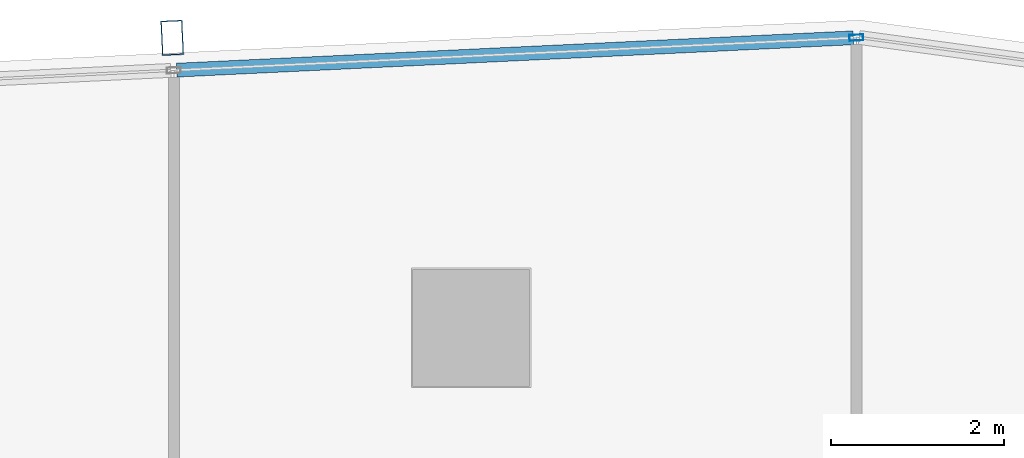
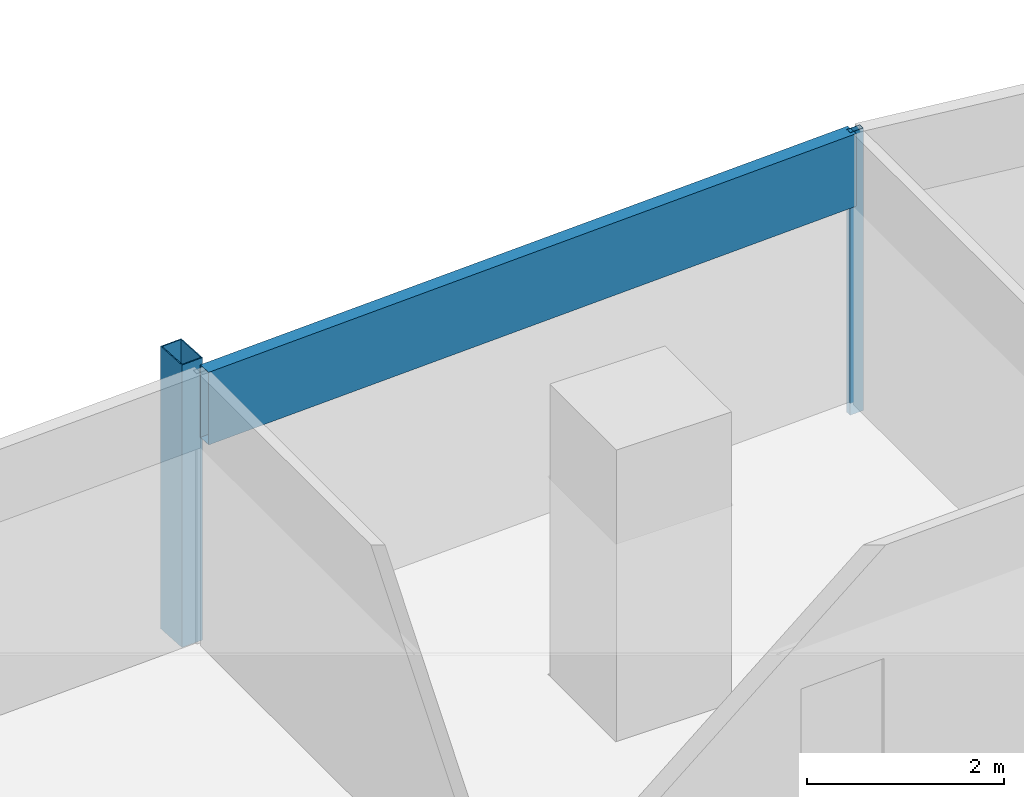
# One storey, part 24 of 39: 3 members, 1 element without a shape of its own.
"""IFC4 building model written with IfcOpenShell, lengths in metres."""

from ifc_helpers import new_model, si_unit, direction, frame, origin, origin_2d, place, context, subcontext, project, spatial, hollow_rectangle, extrude, material, material_profile, profile_set, type_object, element, aggregate, save


model = new_model("IFC4")

# Units and contexts
model_context = context("Model", 3, precision=1e-05, world=origin(), true_north=direction((0.0, 1.0)))
body_context = subcontext(model_context, "Body", "Model", "MODEL_VIEW")
ifc_project = project(units=[si_unit("LENGTHUNIT", "METRE"), si_unit("AREAUNIT", "SQUARE_METRE"), si_unit("VOLUMEUNIT", "CUBIC_METRE"), si_unit("PLANEANGLEUNIT", "RADIAN"), si_unit("MASSUNIT", "GRAM", prefix="KILO")], contexts=[model_context])

# Site, building, storey
site_placement = place(None, origin())
site = spatial("IfcSite", under=ifc_project, at=site_placement, CompositionType="ELEMENT")
building_placement = place(site_placement, origin())
building = spatial("IfcBuilding", under=site, at=building_placement, Name="Rekha Terrace Tower", CompositionType="ELEMENT")
storey_placement = place(building_placement, frame((0.0, 0.0, 221.449951171875)))
storey = spatial("IfcBuildingStorey", under=building, at=storey_placement, Name="L56", CompositionType="ELEMENT", Elevation=221.449951171875)

# Curtain wall, members
ifc_material_1 = material(Name="Aluminium framing", Category="aluminium")
curtain_wall_type = type_object("IfcCurtainWallType", Name="CW3 north unitised glazing", PredefinedType="USERDEFINED", material=ifc_material_1)
curtain_wall_placement = place(storey_placement, origin())
curtain_wall = element("IfcCurtainWall", 1, at=curtain_wall_placement, inside=storey, type_object=curtain_wall_type, Name="CW3 unitised curtain wall", ObjectType="UNITISED CURTAIN WALL", PredefinedType="USERDEFINED")
ifc_material_2 = material(Name="Steel S355 with fluorocarbon finish", Category="steel")
ifc_material_profile_1 = material_profile(ifc_material_2, hollow_rectangle(XDim=0.25, YDim=0.39990234375, WallThickness=0.012451171875, at=origin_2d()), Name="RHS400x250x12.5")
ifc_profile_set_1 = profile_set([ifc_material_profile_1], Name="Steel S355 with fluorocarbon finish")
member_type_1 = type_object("IfcMemberType", Name="BL1 facade blade RHS 400 x 250", PredefinedType="USERDEFINED", material=ifc_profile_set_1)
member_1_placement = place(storey_placement, frame((38.55224609375, 62.145751953125, 0.0), z_axis=(0.0, 0.0, 1.0), x_axis=(-0.998858913274, -0.04775846913, 0.0)))
member_1 = element("IfcMember", 2, at=member_1_placement, type_object=member_type_1, Name="Facade blade", ObjectType="FACADE BLADE", PredefinedType="USERDEFINED", context=body_context, shape_type="SweptSolid", body=[
    extrude(hollow_rectangle(XDim=0.25, YDim=0.39990234375, WallThickness=0.012451171875, at=origin_2d()), origin(), (0.0, 0.0, 1.0), 3.5),
])
ifc_material_3 = material(Name="Aluminium mullion section", Category="aluminium")
ifc_material_profile_2 = material_profile(ifc_material_3, hollow_rectangle(XDim=0.070068359375, YDim=0.159912109375, WallThickness=0.00390625, at=origin_2d()), Name="AL RHS 70x160")
ifc_profile_set_2 = profile_set([ifc_material_profile_2], Name="Aluminium mullion section")
member_type_2 = type_object("IfcMemberType", Name="CW3 mullion RHS 70 x 160", PredefinedType="MULLION", material=ifc_profile_set_2)
member_2_placement = place(storey_placement, frame((46.4443359375, 62.147705078125, 0.0), z_axis=(0.0, 0.0, 1.0), x_axis=(0.047758616983, -0.998858906204, 0.0)))
member_2 = element("IfcMember", 3, at=member_2_placement, type_object=member_type_2, Name="CW3 mullion 1", PredefinedType="MULLION", context=body_context, shape_type="SweptSolid", body=[
    extrude(hollow_rectangle(XDim=0.070068359375, YDim=0.159912109375, WallThickness=0.00390625, at=origin_2d()), origin(), (0.0, 0.0, 1.0), 3.5),
])
ifc_material_4 = material(Name="Insulated aluminium spandrel box", Category="aluminium")
ifc_material_profile_3 = material_profile(ifc_material_4, hollow_rectangle(XDim=0.159912109375, YDim=0.89990234375, WallThickness=0.0029296875, at=origin_2d()), Name="AL SPANDREL BOX 160x900")
ifc_profile_set_3 = profile_set([ifc_material_profile_3], Name="Insulated aluminium spandrel box")
member_type_3 = type_object("IfcMemberType", Name="CW3 spandrel transom 160 x 900", PredefinedType="USERDEFINED", material=ifc_profile_set_3)
member_3_placement = place(storey_placement, frame((46.4091796875, 62.14599609375, 3.050048828125), z_axis=(-0.998859425172, -0.047747761666, 0.0), x_axis=(0.047747761666, -0.998859425172, 0.0)))
member_3 = element("IfcMember", 4, at=member_3_placement, type_object=member_type_3, Name="CW3 spandrel transom 1", ObjectType="TRANSOM", PredefinedType="USERDEFINED", context=body_context, shape_type="SweptSolid", body=[
    extrude(hollow_rectangle(XDim=0.159912109375, YDim=0.89990234375, WallThickness=0.0029296875, at=origin_2d()), origin(), (0.0, 0.0, 1.0), 7.81298828125),
])
aggregate(curtain_wall, [member_2, member_3, member_1])

save(model, "model.ifc")
